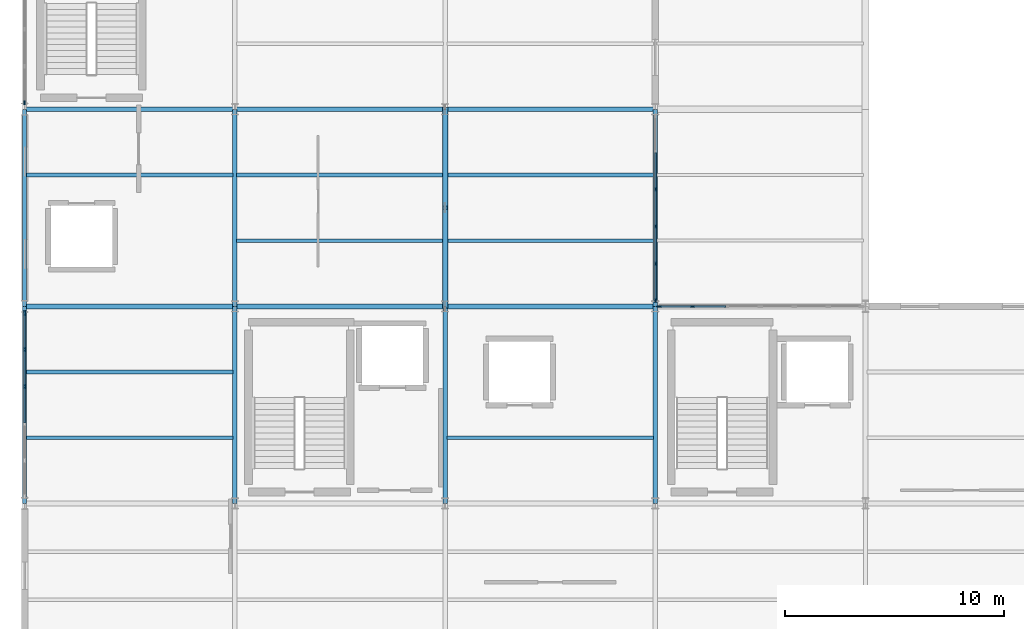
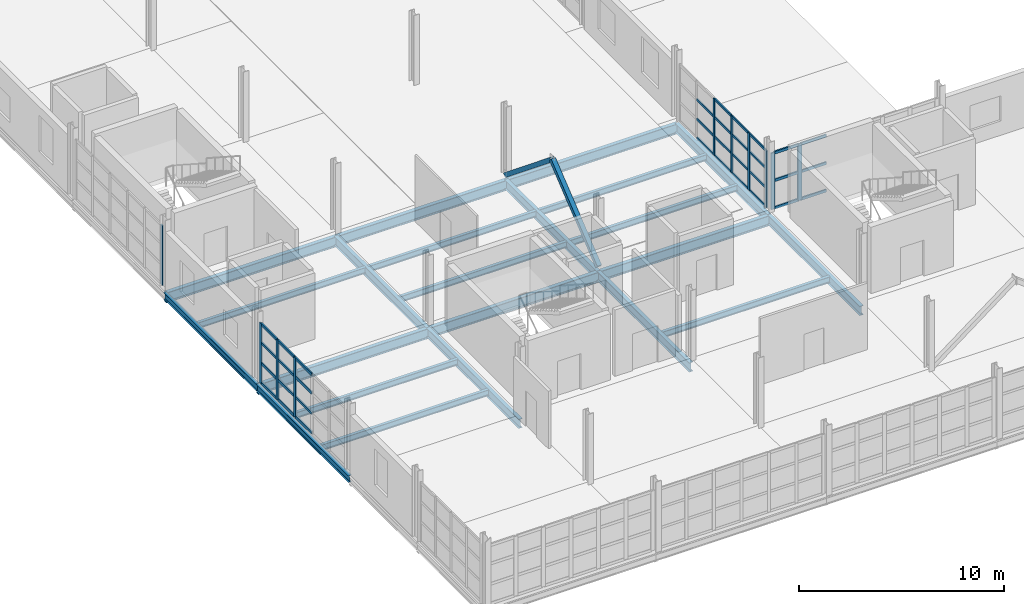
# One storey, part 15 of 82: 45 members, 22 beams, 4 elements without a shape of their own.
"""IFC4 building model written with IfcOpenShell, lengths in metres."""

from ifc_helpers import new_model, si_unit, direction, frame, origin, origin_2d, place, context, subcontext, project, spatial, rectangle, hollow_rectangle, i_section, extrude, material, layer, layer_set, material_profile, profile_set, type_object, element, aggregate, save


model = new_model("IFC4")

# Units and contexts
model_context = context("Model", 3, precision=1e-05, world=origin(), true_north=direction((0.0, 1.0)))
body_context = subcontext(model_context, "Body", "Model", "MODEL_VIEW")
ifc_project = project(units=[si_unit("LENGTHUNIT", "METRE"), si_unit("AREAUNIT", "SQUARE_METRE"), si_unit("VOLUMEUNIT", "CUBIC_METRE"), si_unit("PLANEANGLEUNIT", "RADIAN"), si_unit("MASSUNIT", "GRAM", prefix="KILO")], contexts=[model_context])

# Site, building, storey
site_placement = place(None, origin())
site = spatial("IfcSite", under=ifc_project, at=site_placement, CompositionType="ELEMENT")
building_placement = place(site_placement, origin())
building = spatial("IfcBuilding", under=site, at=building_placement, Name="Zarnetskaya Central Station", CompositionType="ELEMENT")
storey_placement = place(building_placement, frame((0.0, 0.0, 10.199951171875)))
storey = spatial("IfcBuildingStorey", under=building, at=storey_placement, Name="L02", CompositionType="ELEMENT", Elevation=10.199951171875)

# Beams
ifc_material_1 = material(Name="Steel S355", Category="steel")
ifc_material_profile_1 = material_profile(ifc_material_1, i_section(OverallWidth=0.169921875, OverallDepth=0.360107421875, WebThickness=0.008056640625, FlangeThickness=0.0126953125, FilletRadius=0.01806640625, at=origin_2d()), Name="IPE 360")
ifc_profile_set_1 = profile_set([ifc_material_profile_1], Name="Steel S355")
beam_type_1 = type_object("IfcBeamType", Name="BM-SEC-360", PredefinedType="BEAM", material=ifc_profile_set_1)
for number, where, z_axis, x_axis, name in (
    (1, (0.080078125, 16.199951171875, -0.43994140625), (1.0, 0.0, 0.0), (0.0, 1.0, 0.0), "Secondary floor beam SEC-L02-Z994-AB-34-1"),
    (2, (0.080078125, 19.199951171875, -0.43994140625), (1.0, 0.0, 0.0), (0.0, 1.0, 0.0), "Secondary floor beam SEC-L02-Z994-AB-34-2"),
    (3, (0.080078125, 28.199951171875, -0.43994140625), (1.0, 0.0, 0.0), (0.0, 1.0, 0.0), "Secondary floor beam SEC-L02-Z994-AB-45-2"),
):
    element("IfcBeam", number, at=place(storey_placement, frame(where, z_axis=z_axis, x_axis=x_axis)), inside=storey, type_object=beam_type_1, Name=name, PredefinedType="BEAM", context=body_context, shape_type="SweptSolid", body=[
        extrude(i_section(OverallWidth=0.169921875, OverallDepth=0.360107421875, WebThickness=0.008056640625, FlangeThickness=0.0126953125, FilletRadius=0.01806640625, at=origin_2d()), origin(), (0.0, 0.0, 1.0), 9.43994140625),
    ])
for number, where, z_axis, x_axis, name in (
    (4, (9.679931640625, 25.199951171875, -0.43994140625), (1.0, 0.0, 0.0), (0.0, 1.0, 0.0), "Secondary floor beam SEC-L02-Z994-BC-45-1"),
    (5, (9.679931640625, 28.199951171875, -0.43994140625), (1.0, 0.0, 0.0), (0.0, 1.0, 0.0), "Secondary floor beam SEC-L02-Z994-BC-45-2"),
):
    element("IfcBeam", number, at=place(storey_placement, frame(where, z_axis=z_axis, x_axis=x_axis)), inside=storey, type_object=beam_type_1, Name=name, PredefinedType="BEAM", context=body_context, shape_type="SweptSolid", body=[
        extrude(i_section(OverallWidth=0.169921875, OverallDepth=0.360107421875, WebThickness=0.008056640625, FlangeThickness=0.0126953125, FilletRadius=0.01806640625, at=origin_2d()), origin(), (0.0, 0.0, 1.0), 9.440185546875),
    ])
for number, where, z_axis, x_axis, name in (
    (6, (19.280029296875, 16.199951171875, -0.43994140625), (1.0, 0.0, 0.0), (0.0, 1.0, 0.0), "Secondary floor beam SEC-L02-Z994-CD-34-1"),
    (7, (19.280029296875, 25.199951171875, -0.43994140625), (1.0, 0.0, 0.0), (0.0, 1.0, 0.0), "Secondary floor beam SEC-L02-Z994-CD-45-1"),
    (8, (19.280029296875, 28.199951171875, -0.43994140625), (1.0, 0.0, 0.0), (0.0, 1.0, 0.0), "Secondary floor beam SEC-L02-Z994-CD-45-2"),
):
    element("IfcBeam", number, at=place(storey_placement, frame(where, z_axis=z_axis, x_axis=x_axis)), inside=storey, type_object=beam_type_1, Name=name, PredefinedType="BEAM", context=body_context, shape_type="SweptSolid", body=[
        extrude(i_section(OverallWidth=0.169921875, OverallDepth=0.360107421875, WebThickness=0.008056640625, FlangeThickness=0.0126953125, FilletRadius=0.01806640625, at=origin_2d()), origin(), (0.0, 0.0, 1.0), 9.43994140625),
    ])
ifc_material_profile_2 = material_profile(ifc_material_1, i_section(OverallWidth=0.179931640625, OverallDepth=0.39990234375, WebThickness=0.008544921875, FlangeThickness=0.013427734375, FilletRadius=0.02099609375, at=origin_2d()), Name="IPE 400")
ifc_profile_set_2 = profile_set([ifc_material_profile_2], Name="Steel S355")
beam_type_2 = type_object("IfcBeamType", Name="BM-SPN-V5", PredefinedType="SPANDREL", material=ifc_profile_set_2)
for number, where, z_axis, x_axis, name in (
    (9, (0.0, 13.199951171875, -0.4599609375), (0.0, 1.0, 0.0), (-1.0, 0.0, 0.0), "Grid girder GY-L02-A-34"),
    (10, (0.0, 22.199951171875, -0.4599609375), (0.0, 1.0, 0.0), (-1.0, 0.0, 0.0), "Grid girder GY-L02-A-45"),
):
    element("IfcBeam", number, at=place(storey_placement, frame(where, z_axis=z_axis, x_axis=x_axis)), inside=storey, type_object=beam_type_2, Name=name, PredefinedType="SPANDREL", context=body_context, shape_type="SweptSolid", body=[
        extrude(i_section(OverallWidth=0.179931640625, OverallDepth=0.39990234375, WebThickness=0.008544921875, FlangeThickness=0.013427734375, FilletRadius=0.02099609375, at=origin_2d()), origin(), (0.0, 0.0, 1.0), 9.0),
    ])

# Curtain wall, member
ifc_material_2 = material(Name="Low-E insulated glass", Category="glass")
ifc_layer_1 = layer(ifc_material_2, 0.16796875, Name="Low-E insulated glass", Category="glass")
ifc_layer_set_1 = layer_set([ifc_layer_1], Name="Low-E insulated glass")
curtain_wall_type_1 = type_object("IfcCurtainWallType", Name="CW-SYS-08", PredefinedType="USERDEFINED", material=ifc_layer_set_1)
curtain_wall_1_placement = place(storey_placement, origin())
curtain_wall_1 = element("IfcCurtainWall", 11, at=curtain_wall_1_placement, inside=storey, type_object=curtain_wall_type_1, Name="Curtain wall CW-L02-017", ObjectType="CURTAIN WALL", PredefinedType="USERDEFINED")
ifc_material_3 = material(Name="Anodised aluminium", Category="aluminium")
ifc_material_profile_3 = material_profile(ifc_material_3, rectangle(XDim=0.070068359375, YDim=0.179931640625, at=origin_2d()), Name="ALU MULL 70x180")
ifc_profile_set_3 = profile_set([ifc_material_profile_3], Name="Anodised aluminium")
member_type_1 = type_object("IfcMemberType", Name="CW-MULL-180", PredefinedType="MULLION", material=ifc_profile_set_3)
member_1_placement = place(storey_placement, frame((0.0, 31.510009765625, 0.0), z_axis=(0.0, 0.0, 1.0), x_axis=(-1.0, 0.0, 0.0)))
member_1 = element("IfcMember", 12, at=member_1_placement, type_object=member_type_1, Name="CW-16 mullion 1", PredefinedType="MULLION", context=body_context, shape_type="SweptSolid", body=[
    extrude(rectangle(XDim=0.070068359375, YDim=0.179931640625, at=origin_2d()), origin(), (0.0, 0.0, 1.0), 3.550048828125),
])
aggregate(curtain_wall_1, [member_1])

# Curtain wall, members
curtain_wall_2_placement = place(storey_placement, origin())
curtain_wall_2 = element("IfcCurtainWall", 13, at=curtain_wall_2_placement, inside=storey, type_object=curtain_wall_type_1, Name="Curtain wall CW-L02-023", ObjectType="CURTAIN WALL", PredefinedType="USERDEFINED")
member_2_placement = place(storey_placement, frame((28.800048828125, 27.550048828125, 0.0), z_axis=(0.0, 0.0, 1.0), x_axis=(1.0, 0.0, 0.0)))
member_2 = element("IfcMember", 14, at=member_2_placement, type_object=member_type_1, Name="CW-16 mullion 3", PredefinedType="MULLION", context=body_context, shape_type="SweptSolid", body=[
    extrude(rectangle(XDim=0.070068359375, YDim=0.179931640625, at=origin_2d()), origin(), (0.0, 0.0, 1.0), 3.400146484375),
])
member_3_placement = place(storey_placement, frame((28.800048828125, 25.85009765625, 0.0), z_axis=(0.0, 0.0, 1.0), x_axis=(1.0, 0.0, 0.0)))
member_3 = element("IfcMember", 15, at=member_3_placement, type_object=member_type_1, Name="CW-16 mullion 4", PredefinedType="MULLION", context=body_context, shape_type="SweptSolid", body=[
    extrude(rectangle(XDim=0.070068359375, YDim=0.179931640625, at=origin_2d()), origin(), (0.0, 0.0, 1.0), 3.400146484375),
])
member_4_placement = place(storey_placement, frame((28.800048828125, 24.14990234375, 0.0), z_axis=(0.0, 0.0, 1.0), x_axis=(1.0, 0.0, 0.0)))
member_4 = element("IfcMember", 16, at=member_4_placement, type_object=member_type_1, Name="CW-16 mullion 5", PredefinedType="MULLION", context=body_context, shape_type="SweptSolid", body=[
    extrude(rectangle(XDim=0.070068359375, YDim=0.179931640625, at=origin_2d()), origin(), (0.0, 0.0, 1.0), 3.400146484375),
])
member_5_placement = place(storey_placement, frame((28.800048828125, 22.485107421875, 0.0), z_axis=(0.0, 0.0, 1.0), x_axis=(1.0, 0.0, 0.0)))
member_5 = element("IfcMember", 17, at=member_5_placement, type_object=member_type_1, Name="CW-16 mullion 6", PredefinedType="MULLION", context=body_context, shape_type="SweptSolid", body=[
    extrude(rectangle(XDim=0.070068359375, YDim=0.179931640625, at=origin_2d()), origin(), (0.0, 0.0, 1.0), 3.400146484375),
])

ifc_layer_2 = layer(ifc_material_2, 0.159912109375, Name="Low-E insulated glass", Category="glass")
ifc_layer_set_2 = layer_set([ifc_layer_2], Name="Low-E insulated glass")
curtain_wall_type_2 = type_object("IfcCurtainWallType", Name="CW-SYS-06", PredefinedType="USERDEFINED", material=ifc_layer_set_2)
curtain_wall_3_placement = place(storey_placement, origin())
curtain_wall_3 = element("IfcCurtainWall", 18, at=curtain_wall_3_placement, inside=storey, type_object=curtain_wall_type_2, Name="Curtain wall CW-L02-016", ObjectType="CURTAIN WALL", PredefinedType="USERDEFINED")
ifc_material_profile_4 = material_profile(ifc_material_3, rectangle(XDim=0.080078125, YDim=0.219970703125, at=origin_2d()), Name="ALU MULL 80x220")
ifc_profile_set_4 = profile_set([ifc_material_profile_4], Name="Anodised aluminium")
member_type_2 = type_object("IfcMemberType", Name="CW-MULL-220", PredefinedType="MULLION", material=ifc_profile_set_4)
member_6_placement = place(storey_placement, frame((0.0, 18.544921875, 0.0), z_axis=(0.0, 0.0, 1.0), x_axis=(-1.0, 0.0, 0.0)))
member_6 = element("IfcMember", 19, at=member_6_placement, type_object=member_type_2, Name="CW-02 mullion 4", PredefinedType="MULLION", context=body_context, shape_type="SweptSolid", body=[
    extrude(rectangle(XDim=0.080078125, YDim=0.219970703125, at=origin_2d()), origin(), (0.0, 0.0, 1.0), 3.550048828125),
])
member_7_placement = place(storey_placement, frame((0.0, 20.235107421875, 0.0), z_axis=(0.0, 0.0, 1.0), x_axis=(-1.0, 0.0, 0.0)))
member_7 = element("IfcMember", 20, at=member_7_placement, type_object=member_type_2, Name="CW-02 mullion 5", PredefinedType="MULLION", context=body_context, shape_type="SweptSolid", body=[
    extrude(rectangle(XDim=0.080078125, YDim=0.219970703125, at=origin_2d()), origin(), (0.0, 0.0, 1.0), 3.550048828125),
])
member_8_placement = place(storey_placement, frame((0.0, 21.885009765625, 0.0), z_axis=(0.0, 0.0, 1.0), x_axis=(-1.0, 0.0, 0.0)))
member_8 = element("IfcMember", 21, at=member_8_placement, type_object=member_type_2, Name="CW-02 mullion 6", PredefinedType="MULLION", context=body_context, shape_type="SweptSolid", body=[
    extrude(rectangle(XDim=0.080078125, YDim=0.219970703125, at=origin_2d()), origin(), (0.0, 0.0, 1.0), 3.550048828125),
])

ifc_layer_3 = layer(ifc_material_2, 0.172119140625, Name="Low-E insulated glass", Category="glass")
ifc_layer_set_3 = layer_set([ifc_layer_3], Name="Low-E insulated glass")
curtain_wall_type_3 = type_object("IfcCurtainWallType", Name="CW-SYS-04", PredefinedType="USERDEFINED", material=ifc_layer_set_3)
curtain_wall_4_placement = place(storey_placement, origin())
curtain_wall_4 = element("IfcCurtainWall", 22, at=curtain_wall_4_placement, inside=storey, type_object=curtain_wall_type_3, Name="Curtain wall CW-L02-024", ObjectType="CURTAIN WALL", PredefinedType="USERDEFINED")
member_9_placement = place(storey_placement, frame((28.989990234375, 22.199951171875, 0.0), z_axis=(0.0, 0.0, 1.0), x_axis=(0.0, 1.0, 0.0)))
member_9 = element("IfcMember", 23, at=member_9_placement, type_object=member_type_2, Name="CW-15 mullion 1", PredefinedType="MULLION", context=body_context, shape_type="SweptSolid", body=[
    extrude(rectangle(XDim=0.080078125, YDim=0.219970703125, at=origin_2d()), origin(), (0.0, 0.0, 1.0), 3.35009765625),
])
member_10_placement = place(storey_placement, frame((30.5, 22.199951171875, 0.0), z_axis=(0.0, 0.0, 1.0), x_axis=(0.0, 1.0, 0.0)))
member_10 = element("IfcMember", 24, at=member_10_placement, type_object=member_type_2, Name="CW-15 mullion 2", PredefinedType="MULLION", context=body_context, shape_type="SweptSolid", body=[
    extrude(rectangle(XDim=0.080078125, YDim=0.219970703125, at=origin_2d()), origin(), (0.0, 0.0, 1.0), 3.35009765625),
])

# Member
ifc_material_profile_5 = material_profile(ifc_material_3, rectangle(XDim=0.070068359375, YDim=0.139892578125, at=origin_2d()), Name="ALU TRAN 70x140")
ifc_profile_set_5 = profile_set([ifc_material_profile_5], Name="Anodised aluminium")
member_type_3 = type_object("IfcMemberType", Name="CW-TRAN-140", PredefinedType="USERDEFINED", material=ifc_profile_set_5)
member_11_placement = place(storey_placement, frame((28.800048828125, 29.215087890625, 0.03515625), z_axis=(0.0, -1.0, 0.0), x_axis=(1.0, 0.0, 0.0)))
member_11 = element("IfcMember", 25, at=member_11_placement, type_object=member_type_3, Name="CW-16 transom 2.1", ObjectType="TRANSOM", PredefinedType="USERDEFINED", context=body_context, shape_type="SweptSolid", body=[
    extrude(rectangle(XDim=0.070068359375, YDim=0.139892578125, at=origin_2d()), origin(), (0.0, 0.0, 1.0), 1.630126953125),
])

member_12_placement = place(storey_placement, frame((28.800048828125, 29.215087890625, 1.156005859375), z_axis=(0.0, -1.0, 0.0), x_axis=(1.0, 0.0, 0.0)))
member_12 = element("IfcMember", 26, at=member_12_placement, type_object=member_type_3, Name="CW-16 transom 2.2", ObjectType="TRANSOM", PredefinedType="USERDEFINED", context=body_context, shape_type="SweptSolid", body=[
    extrude(rectangle(XDim=0.070068359375, YDim=0.139892578125, at=origin_2d()), origin(), (0.0, 0.0, 1.0), 1.630126953125),
])

member_13_placement = place(storey_placement, frame((28.800048828125, 29.215087890625, 2.31201171875), z_axis=(0.0, -1.0, 0.0), x_axis=(1.0, 0.0, 0.0)))
member_13 = element("IfcMember", 27, at=member_13_placement, type_object=member_type_3, Name="CW-16 transom 2.3", ObjectType="TRANSOM", PredefinedType="USERDEFINED", context=body_context, shape_type="SweptSolid", body=[
    extrude(rectangle(XDim=0.070068359375, YDim=0.139892578125, at=origin_2d()), origin(), (0.0, 0.0, 1.0), 1.630126953125),
])

member_14_placement = place(storey_placement, frame((28.800048828125, 27.514892578125, 0.03515625), z_axis=(0.0, -1.0, 0.0), x_axis=(1.0, 0.0, 0.0)))
member_14 = element("IfcMember", 28, at=member_14_placement, type_object=member_type_3, Name="CW-16 transom 3.1", ObjectType="TRANSOM", PredefinedType="USERDEFINED", context=body_context, shape_type="SweptSolid", body=[
    extrude(rectangle(XDim=0.070068359375, YDim=0.139892578125, at=origin_2d()), origin(), (0.0, 0.0, 1.0), 1.6298828125),
])

member_15_placement = place(storey_placement, frame((28.800048828125, 27.514892578125, 1.156005859375), z_axis=(0.0, -1.0, 0.0), x_axis=(1.0, 0.0, 0.0)))
member_15 = element("IfcMember", 29, at=member_15_placement, type_object=member_type_3, Name="CW-16 transom 3.2", ObjectType="TRANSOM", PredefinedType="USERDEFINED", context=body_context, shape_type="SweptSolid", body=[
    extrude(rectangle(XDim=0.070068359375, YDim=0.139892578125, at=origin_2d()), origin(), (0.0, 0.0, 1.0), 1.6298828125),
])

member_16_placement = place(storey_placement, frame((28.800048828125, 27.514892578125, 2.31201171875), z_axis=(0.0, -1.0, 0.0), x_axis=(1.0, 0.0, 0.0)))
member_16 = element("IfcMember", 30, at=member_16_placement, type_object=member_type_3, Name="CW-16 transom 3.3", ObjectType="TRANSOM", PredefinedType="USERDEFINED", context=body_context, shape_type="SweptSolid", body=[
    extrude(rectangle(XDim=0.070068359375, YDim=0.139892578125, at=origin_2d()), origin(), (0.0, 0.0, 1.0), 1.6298828125),
])

member_17_placement = place(storey_placement, frame((28.800048828125, 27.514892578125, 3.364990234375), z_axis=(0.0, -1.0, 0.0), x_axis=(1.0, 0.0, 0.0)))
member_17 = element("IfcMember", 31, at=member_17_placement, type_object=member_type_3, Name="CW-16 transom 3.4", ObjectType="TRANSOM", PredefinedType="USERDEFINED", context=body_context, shape_type="SweptSolid", body=[
    extrude(rectangle(XDim=0.070068359375, YDim=0.139892578125, at=origin_2d()), origin(), (0.0, 0.0, 1.0), 1.6298828125),
])

member_18_placement = place(storey_placement, frame((28.800048828125, 25.81494140625, 0.03515625), z_axis=(0.0, -1.0, 0.0), x_axis=(1.0, 0.0, 0.0)))
member_18 = element("IfcMember", 32, at=member_18_placement, type_object=member_type_3, Name="CW-16 transom 4.1", ObjectType="TRANSOM", PredefinedType="USERDEFINED", context=body_context, shape_type="SweptSolid", body=[
    extrude(rectangle(XDim=0.070068359375, YDim=0.139892578125, at=origin_2d()), origin(), (0.0, 0.0, 1.0), 1.6298828125),
])

member_19_placement = place(storey_placement, frame((28.800048828125, 25.81494140625, 1.156005859375), z_axis=(0.0, -1.0, 0.0), x_axis=(1.0, 0.0, 0.0)))
member_19 = element("IfcMember", 33, at=member_19_placement, type_object=member_type_3, Name="CW-16 transom 4.2", ObjectType="TRANSOM", PredefinedType="USERDEFINED", context=body_context, shape_type="SweptSolid", body=[
    extrude(rectangle(XDim=0.070068359375, YDim=0.139892578125, at=origin_2d()), origin(), (0.0, 0.0, 1.0), 1.6298828125),
])

member_20_placement = place(storey_placement, frame((28.800048828125, 25.81494140625, 2.31201171875), z_axis=(0.0, -1.0, 0.0), x_axis=(1.0, 0.0, 0.0)))
member_20 = element("IfcMember", 34, at=member_20_placement, type_object=member_type_3, Name="CW-16 transom 4.3", ObjectType="TRANSOM", PredefinedType="USERDEFINED", context=body_context, shape_type="SweptSolid", body=[
    extrude(rectangle(XDim=0.070068359375, YDim=0.139892578125, at=origin_2d()), origin(), (0.0, 0.0, 1.0), 1.6298828125),
])

member_21_placement = place(storey_placement, frame((28.800048828125, 25.81494140625, 3.364990234375), z_axis=(0.0, -1.0, 0.0), x_axis=(1.0, 0.0, 0.0)))
member_21 = element("IfcMember", 35, at=member_21_placement, type_object=member_type_3, Name="CW-16 transom 4.4", ObjectType="TRANSOM", PredefinedType="USERDEFINED", context=body_context, shape_type="SweptSolid", body=[
    extrude(rectangle(XDim=0.070068359375, YDim=0.139892578125, at=origin_2d()), origin(), (0.0, 0.0, 1.0), 1.6298828125),
])

member_22_placement = place(storey_placement, frame((28.800048828125, 24.114990234375, 0.03515625), z_axis=(0.0, -1.0, 0.0), x_axis=(1.0, 0.0, 0.0)))
member_22 = element("IfcMember", 36, at=member_22_placement, type_object=member_type_3, Name="CW-16 transom 5.1", ObjectType="TRANSOM", PredefinedType="USERDEFINED", context=body_context, shape_type="SweptSolid", body=[
    extrude(rectangle(XDim=0.070068359375, YDim=0.139892578125, at=origin_2d()), origin(), (0.0, 0.0, 1.0), 1.594970703125),
])

member_23_placement = place(storey_placement, frame((28.800048828125, 24.114990234375, 1.156005859375), z_axis=(0.0, -1.0, 0.0), x_axis=(1.0, 0.0, 0.0)))
member_23 = element("IfcMember", 37, at=member_23_placement, type_object=member_type_3, Name="CW-16 transom 5.2", ObjectType="TRANSOM", PredefinedType="USERDEFINED", context=body_context, shape_type="SweptSolid", body=[
    extrude(rectangle(XDim=0.070068359375, YDim=0.139892578125, at=origin_2d()), origin(), (0.0, 0.0, 1.0), 1.594970703125),
])

member_24_placement = place(storey_placement, frame((28.800048828125, 24.114990234375, 2.31201171875), z_axis=(0.0, -1.0, 0.0), x_axis=(1.0, 0.0, 0.0)))
member_24 = element("IfcMember", 38, at=member_24_placement, type_object=member_type_3, Name="CW-16 transom 5.3", ObjectType="TRANSOM", PredefinedType="USERDEFINED", context=body_context, shape_type="SweptSolid", body=[
    extrude(rectangle(XDim=0.070068359375, YDim=0.139892578125, at=origin_2d()), origin(), (0.0, 0.0, 1.0), 1.594970703125),
])

member_25_placement = place(storey_placement, frame((28.800048828125, 24.114990234375, 3.364990234375), z_axis=(0.0, -1.0, 0.0), x_axis=(1.0, 0.0, 0.0)))
member_25 = element("IfcMember", 39, at=member_25_placement, type_object=member_type_3, Name="CW-16 transom 5.4", ObjectType="TRANSOM", PredefinedType="USERDEFINED", context=body_context, shape_type="SweptSolid", body=[
    extrude(rectangle(XDim=0.070068359375, YDim=0.139892578125, at=origin_2d()), origin(), (0.0, 0.0, 1.0), 1.594970703125),
])

aggregate(curtain_wall_2, [member_2, member_3, member_4, member_5, member_11, member_12, member_13, member_14, member_15, member_16, member_17, member_18, member_19, member_20, member_21, member_22, member_23, member_24, member_25])

ifc_material_profile_6 = material_profile(ifc_material_3, rectangle(XDim=0.080078125, YDim=0.159912109375, at=origin_2d()), Name="ALU TRAN 80x160")
ifc_profile_set_6 = profile_set([ifc_material_profile_6], Name="Anodised aluminium")
member_type_4 = type_object("IfcMemberType", Name="CW-TRAN-160", PredefinedType="USERDEFINED", material=ifc_profile_set_6)
member_26_placement = place(storey_placement, frame((0.0, 16.89501953125, 0.0400390625), z_axis=(0.0, 1.0, 0.0), x_axis=(-1.0, 0.0, 0.0)))
member_26 = element("IfcMember", 40, at=member_26_placement, type_object=member_type_4, Name="CW-02 transom 3.1", ObjectType="TRANSOM", PredefinedType="USERDEFINED", context=body_context, shape_type="SweptSolid", body=[
    extrude(rectangle(XDim=0.080078125, YDim=0.159912109375, at=origin_2d()), origin(), (0.0, 0.0, 1.0), 1.60986328125),
])

member_27_placement = place(storey_placement, frame((0.0, 16.89501953125, 1.20703125), z_axis=(0.0, 1.0, 0.0), x_axis=(-1.0, 0.0, 0.0)))
member_27 = element("IfcMember", 41, at=member_27_placement, type_object=member_type_4, Name="CW-02 transom 3.2", ObjectType="TRANSOM", PredefinedType="USERDEFINED", context=body_context, shape_type="SweptSolid", body=[
    extrude(rectangle(XDim=0.080078125, YDim=0.159912109375, at=origin_2d()), origin(), (0.0, 0.0, 1.0), 1.60986328125),
])

member_28_placement = place(storey_placement, frame((0.0, 16.89501953125, 2.4140625), z_axis=(0.0, 1.0, 0.0), x_axis=(-1.0, 0.0, 0.0)))
member_28 = element("IfcMember", 42, at=member_28_placement, type_object=member_type_4, Name="CW-02 transom 3.3", ObjectType="TRANSOM", PredefinedType="USERDEFINED", context=body_context, shape_type="SweptSolid", body=[
    extrude(rectangle(XDim=0.080078125, YDim=0.159912109375, at=origin_2d()), origin(), (0.0, 0.0, 1.0), 1.60986328125),
])

member_29_placement = place(storey_placement, frame((0.0, 16.89501953125, 3.510009765625), z_axis=(0.0, 1.0, 0.0), x_axis=(-1.0, 0.0, 0.0)))
member_29 = element("IfcMember", 43, at=member_29_placement, type_object=member_type_4, Name="CW-02 transom 3.4", ObjectType="TRANSOM", PredefinedType="USERDEFINED", context=body_context, shape_type="SweptSolid", body=[
    extrude(rectangle(XDim=0.080078125, YDim=0.159912109375, at=origin_2d()), origin(), (0.0, 0.0, 1.0), 1.60986328125),
])

member_30_placement = place(storey_placement, frame((0.0, 18.5849609375, 0.0400390625), z_axis=(0.0, 1.0, 0.0), x_axis=(-1.0, 0.0, 0.0)))
member_30 = element("IfcMember", 44, at=member_30_placement, type_object=member_type_4, Name="CW-02 transom 4.1", ObjectType="TRANSOM", PredefinedType="USERDEFINED", context=body_context, shape_type="SweptSolid", body=[
    extrude(rectangle(XDim=0.080078125, YDim=0.159912109375, at=origin_2d()), origin(), (0.0, 0.0, 1.0), 1.610107421875),
])

member_31_placement = place(storey_placement, frame((0.0, 18.5849609375, 1.20703125), z_axis=(0.0, 1.0, 0.0), x_axis=(-1.0, 0.0, 0.0)))
member_31 = element("IfcMember", 45, at=member_31_placement, type_object=member_type_4, Name="CW-02 transom 4.2", ObjectType="TRANSOM", PredefinedType="USERDEFINED", context=body_context, shape_type="SweptSolid", body=[
    extrude(rectangle(XDim=0.080078125, YDim=0.159912109375, at=origin_2d()), origin(), (0.0, 0.0, 1.0), 1.610107421875),
])

member_32_placement = place(storey_placement, frame((0.0, 18.5849609375, 2.4140625), z_axis=(0.0, 1.0, 0.0), x_axis=(-1.0, 0.0, 0.0)))
member_32 = element("IfcMember", 46, at=member_32_placement, type_object=member_type_4, Name="CW-02 transom 4.3", ObjectType="TRANSOM", PredefinedType="USERDEFINED", context=body_context, shape_type="SweptSolid", body=[
    extrude(rectangle(XDim=0.080078125, YDim=0.159912109375, at=origin_2d()), origin(), (0.0, 0.0, 1.0), 1.610107421875),
])

member_33_placement = place(storey_placement, frame((0.0, 18.5849609375, 3.510009765625), z_axis=(0.0, 1.0, 0.0), x_axis=(-1.0, 0.0, 0.0)))
member_33 = element("IfcMember", 47, at=member_33_placement, type_object=member_type_4, Name="CW-02 transom 4.4", ObjectType="TRANSOM", PredefinedType="USERDEFINED", context=body_context, shape_type="SweptSolid", body=[
    extrude(rectangle(XDim=0.080078125, YDim=0.159912109375, at=origin_2d()), origin(), (0.0, 0.0, 1.0), 1.610107421875),
])

member_34_placement = place(storey_placement, frame((0.0, 20.27490234375, 0.0400390625), z_axis=(0.0, 1.0, 0.0), x_axis=(-1.0, 0.0, 0.0)))
member_34 = element("IfcMember", 48, at=member_34_placement, type_object=member_type_4, Name="CW-02 transom 5.1", ObjectType="TRANSOM", PredefinedType="USERDEFINED", context=body_context, shape_type="SweptSolid", body=[
    extrude(rectangle(XDim=0.080078125, YDim=0.159912109375, at=origin_2d()), origin(), (0.0, 0.0, 1.0), 1.570068359375),
])

member_35_placement = place(storey_placement, frame((0.0, 20.27490234375, 1.20703125), z_axis=(0.0, 1.0, 0.0), x_axis=(-1.0, 0.0, 0.0)))
member_35 = element("IfcMember", 49, at=member_35_placement, type_object=member_type_4, Name="CW-02 transom 5.2", ObjectType="TRANSOM", PredefinedType="USERDEFINED", context=body_context, shape_type="SweptSolid", body=[
    extrude(rectangle(XDim=0.080078125, YDim=0.159912109375, at=origin_2d()), origin(), (0.0, 0.0, 1.0), 1.570068359375),
])

member_36_placement = place(storey_placement, frame((0.0, 20.27490234375, 2.4140625), z_axis=(0.0, 1.0, 0.0), x_axis=(-1.0, 0.0, 0.0)))
member_36 = element("IfcMember", 50, at=member_36_placement, type_object=member_type_4, Name="CW-02 transom 5.3", ObjectType="TRANSOM", PredefinedType="USERDEFINED", context=body_context, shape_type="SweptSolid", body=[
    extrude(rectangle(XDim=0.080078125, YDim=0.159912109375, at=origin_2d()), origin(), (0.0, 0.0, 1.0), 1.570068359375),
])

member_37_placement = place(storey_placement, frame((0.0, 20.27490234375, 3.510009765625), z_axis=(0.0, 1.0, 0.0), x_axis=(-1.0, 0.0, 0.0)))
member_37 = element("IfcMember", 51, at=member_37_placement, type_object=member_type_4, Name="CW-02 transom 5.4", ObjectType="TRANSOM", PredefinedType="USERDEFINED", context=body_context, shape_type="SweptSolid", body=[
    extrude(rectangle(XDim=0.080078125, YDim=0.159912109375, at=origin_2d()), origin(), (0.0, 0.0, 1.0), 1.570068359375),
])

aggregate(curtain_wall_3, [member_6, member_7, member_8, member_26, member_27, member_28, member_29, member_30, member_31, member_32, member_33, member_34, member_35, member_36, member_37])

member_38_placement = place(storey_placement, frame((29.030029296875, 22.199951171875, 0.0400390625), z_axis=(1.0, 0.0, 0.0), x_axis=(0.0, 1.0, 0.0)))
member_38 = element("IfcMember", 52, at=member_38_placement, type_object=member_type_4, Name="CW-15 transom 1.1", ObjectType="TRANSOM", PredefinedType="USERDEFINED", context=body_context, shape_type="SweptSolid", body=[
    extrude(rectangle(XDim=0.080078125, YDim=0.159912109375, at=origin_2d()), origin(), (0.0, 0.0, 1.0), 1.429931640625),
])

member_39_placement = place(storey_placement, frame((29.030029296875, 22.199951171875, 1.675048828125), z_axis=(1.0, 0.0, 0.0), x_axis=(0.0, 1.0, 0.0)))
member_39 = element("IfcMember", 53, at=member_39_placement, type_object=member_type_4, Name="CW-15 transom 1.2", ObjectType="TRANSOM", PredefinedType="USERDEFINED", context=body_context, shape_type="SweptSolid", body=[
    extrude(rectangle(XDim=0.080078125, YDim=0.159912109375, at=origin_2d()), origin(), (0.0, 0.0, 1.0), 1.429931640625),
])

member_40_placement = place(storey_placement, frame((29.030029296875, 22.199951171875, 3.31005859375), z_axis=(1.0, 0.0, 0.0), x_axis=(0.0, 1.0, 0.0)))
member_40 = element("IfcMember", 54, at=member_40_placement, type_object=member_type_4, Name="CW-15 transom 1.3", ObjectType="TRANSOM", PredefinedType="USERDEFINED", context=body_context, shape_type="SweptSolid", body=[
    extrude(rectangle(XDim=0.080078125, YDim=0.159912109375, at=origin_2d()), origin(), (0.0, 0.0, 1.0), 1.429931640625),
])

member_41_placement = place(storey_placement, frame((30.5400390625, 22.199951171875, 0.0400390625), z_axis=(1.0, 0.0, 0.0), x_axis=(0.0, 1.0, 0.0)))
member_41 = element("IfcMember", 55, at=member_41_placement, type_object=member_type_4, Name="CW-15 transom 2.1", ObjectType="TRANSOM", PredefinedType="USERDEFINED", context=body_context, shape_type="SweptSolid", body=[
    extrude(rectangle(XDim=0.080078125, YDim=0.159912109375, at=origin_2d()), origin(), (0.0, 0.0, 1.0), 1.469970703125),
])

member_42_placement = place(storey_placement, frame((30.5400390625, 22.199951171875, 1.675048828125), z_axis=(1.0, 0.0, 0.0), x_axis=(0.0, 1.0, 0.0)))
member_42 = element("IfcMember", 56, at=member_42_placement, type_object=member_type_4, Name="CW-15 transom 2.2", ObjectType="TRANSOM", PredefinedType="USERDEFINED", context=body_context, shape_type="SweptSolid", body=[
    extrude(rectangle(XDim=0.080078125, YDim=0.159912109375, at=origin_2d()), origin(), (0.0, 0.0, 1.0), 1.469970703125),
])

member_43_placement = place(storey_placement, frame((30.5400390625, 22.199951171875, 3.31005859375), z_axis=(1.0, 0.0, 0.0), x_axis=(0.0, 1.0, 0.0)))
member_43 = element("IfcMember", 57, at=member_43_placement, type_object=member_type_4, Name="CW-15 transom 2.3", ObjectType="TRANSOM", PredefinedType="USERDEFINED", context=body_context, shape_type="SweptSolid", body=[
    extrude(rectangle(XDim=0.080078125, YDim=0.159912109375, at=origin_2d()), origin(), (0.0, 0.0, 1.0), 1.469970703125),
])

aggregate(curtain_wall_4, [member_9, member_10, member_38, member_39, member_40, member_41, member_42, member_43])

# Beams
ifc_material_profile_7 = material_profile(ifc_material_1, i_section(OverallWidth=0.2099609375, OverallDepth=0.550048828125, WebThickness=0.010986328125, FlangeThickness=0.01708984375, FilletRadius=0.02392578125, at=origin_2d()), Name="IPE 550")
ifc_profile_set_7 = profile_set([ifc_material_profile_7], Name="Steel S355")
beam_type_3 = type_object("IfcBeamType", Name="GD-FLR-550", PredefinedType="USERDEFINED", material=ifc_profile_set_7)
for number, where, z_axis, x_axis, name in (
    (58, (9.60009765625, 13.199951171875, -0.534912109375), (0.0, 1.0, 0.0), (-1.0, 0.0, 0.0), "Grid girder GY-L02-B-34"),
    (59, (9.60009765625, 22.199951171875, -0.534912109375), (0.0, 1.0, 0.0), (-1.0, 0.0, 0.0), "Grid girder GY-L02-B-45"),
    (60, (19.199951171875, 13.199951171875, -0.534912109375), (0.0, 1.0, 0.0), (-1.0, 0.0, 0.0), "Grid girder GY-L02-C-34"),
    (61, (19.199951171875, 22.199951171875, -0.534912109375), (0.0, 1.0, 0.0), (-1.0, 0.0, 0.0), "Grid girder GY-L02-C-45"),
    (62, (28.800048828125, 13.199951171875, -0.534912109375), (0.0, 1.0, 0.0), (-1.0, 0.0, 0.0), "Grid girder GY-L02-D-34"),
    (63, (28.800048828125, 22.199951171875, -0.534912109375), (0.0, 1.0, 0.0), (-1.0, 0.0, 0.0), "Grid girder GY-L02-D-45"),
):
    element("IfcBeam", number, at=place(storey_placement, frame(where, z_axis=z_axis, x_axis=x_axis)), inside=storey, type_object=beam_type_3, Name=name, ObjectType="GIRDER", PredefinedType="USERDEFINED", context=body_context, shape_type="SweptSolid", body=[
        extrude(i_section(OverallWidth=0.2099609375, OverallDepth=0.550048828125, WebThickness=0.010986328125, FlangeThickness=0.01708984375, FilletRadius=0.02392578125, at=origin_2d()), origin(), (0.0, 0.0, 1.0), 9.0),
    ])
ifc_material_profile_8 = material_profile(ifc_material_1, i_section(OverallWidth=0.219970703125, OverallDepth=0.60009765625, WebThickness=0.011962890625, FlangeThickness=0.01904296875, FilletRadius=0.02392578125, at=origin_2d()), Name="IPE 600")
ifc_profile_set_8 = profile_set([ifc_material_profile_8], Name="Steel S355")
beam_type_4 = type_object("IfcBeamType", Name="GD-FLR-600", PredefinedType="USERDEFINED", material=ifc_profile_set_8)
for number, where, z_axis, x_axis, name in (
    (64, (0.0, 22.199951171875, -0.56005859375), (1.0, 0.0, 0.0), (0.0, 1.0, 0.0), "Grid girder GX-L02-4-AB"),
    (65, (0.0, 31.199951171875, -0.56005859375), (1.0, 0.0, 0.0), (0.0, 1.0, 0.0), "Grid girder GX-L02-5-AB"),
):
    element("IfcBeam", number, at=place(storey_placement, frame(where, z_axis=z_axis, x_axis=x_axis)), inside=storey, type_object=beam_type_4, Name=name, ObjectType="GIRDER", PredefinedType="USERDEFINED", context=body_context, shape_type="SweptSolid", body=[
        extrude(i_section(OverallWidth=0.219970703125, OverallDepth=0.60009765625, WebThickness=0.011962890625, FlangeThickness=0.01904296875, FilletRadius=0.02392578125, at=origin_2d()), origin(), (0.0, 0.0, 1.0), 9.60009765625),
    ])
for number, where, z_axis, x_axis, name in (
    (66, (9.60009765625, 22.199951171875, -0.56005859375), (1.0, 0.0, 0.0), (0.0, 1.0, 0.0), "Grid girder GX-L02-4-BC"),
    (67, (9.60009765625, 31.199951171875, -0.56005859375), (1.0, 0.0, 0.0), (0.0, 1.0, 0.0), "Grid girder GX-L02-5-BC"),
):
    element("IfcBeam", number, at=place(storey_placement, frame(where, z_axis=z_axis, x_axis=x_axis)), inside=storey, type_object=beam_type_4, Name=name, ObjectType="GIRDER", PredefinedType="USERDEFINED", context=body_context, shape_type="SweptSolid", body=[
        extrude(i_section(OverallWidth=0.219970703125, OverallDepth=0.60009765625, WebThickness=0.011962890625, FlangeThickness=0.01904296875, FilletRadius=0.02392578125, at=origin_2d()), origin(), (0.0, 0.0, 1.0), 9.599853515625),
    ])
for number, where, z_axis, x_axis, name in (
    (68, (19.199951171875, 22.199951171875, -0.56005859375), (1.0, 0.0, 0.0), (0.0, 1.0, 0.0), "Grid girder GX-L02-4-CD"),
    (69, (19.199951171875, 31.199951171875, -0.56005859375), (1.0, 0.0, 0.0), (0.0, 1.0, 0.0), "Grid girder GX-L02-5-CD"),
):
    element("IfcBeam", number, at=place(storey_placement, frame(where, z_axis=z_axis, x_axis=x_axis)), inside=storey, type_object=beam_type_4, Name=name, ObjectType="GIRDER", PredefinedType="USERDEFINED", context=body_context, shape_type="SweptSolid", body=[
        extrude(i_section(OverallWidth=0.219970703125, OverallDepth=0.60009765625, WebThickness=0.011962890625, FlangeThickness=0.01904296875, FilletRadius=0.02392578125, at=origin_2d()), origin(), (0.0, 0.0, 1.0), 9.60009765625),
    ])

# Members
ifc_material_profile_9 = material_profile(ifc_material_1, hollow_rectangle(XDim=0.25, YDim=0.25, WallThickness=0.012451171875, at=origin_2d()), Name="SHS 250x250x12.5")
ifc_profile_set_9 = profile_set([ifc_material_profile_9], Name="Steel S355")
member_type_5 = type_object("IfcMemberType", Name="MB-CBF-BRACE", PredefinedType="BRACE", material=ifc_profile_set_9)
for number, where, z_axis, x_axis, name in (
    (70, (19.199951171875, 22.199951171875, 0.0), (0.0, 0.776629272847, 0.629957913322), (-1.0, 0.0, 0.0), "Concentrically braced frame chevron 1L L02"),
    (71, (19.199951171875, 31.199951171875, 0.0), (0.0, -0.776629272847, 0.629957913322), (1.0, 0.0, 0.0), "Concentrically braced frame chevron 1R L02"),
):
    element("IfcMember", number, at=place(storey_placement, frame(where, z_axis=z_axis, x_axis=x_axis)), inside=storey, type_object=member_type_5, Name=name, PredefinedType="BRACE", context=body_context, shape_type="SweptSolid", body=[
        extrude(hollow_rectangle(XDim=0.25, YDim=0.25, WallThickness=0.012451171875, at=origin_2d()), origin(), (0.0, 0.0, 1.0), 5.794189453125),
    ])

save(model, "model.ifc")
